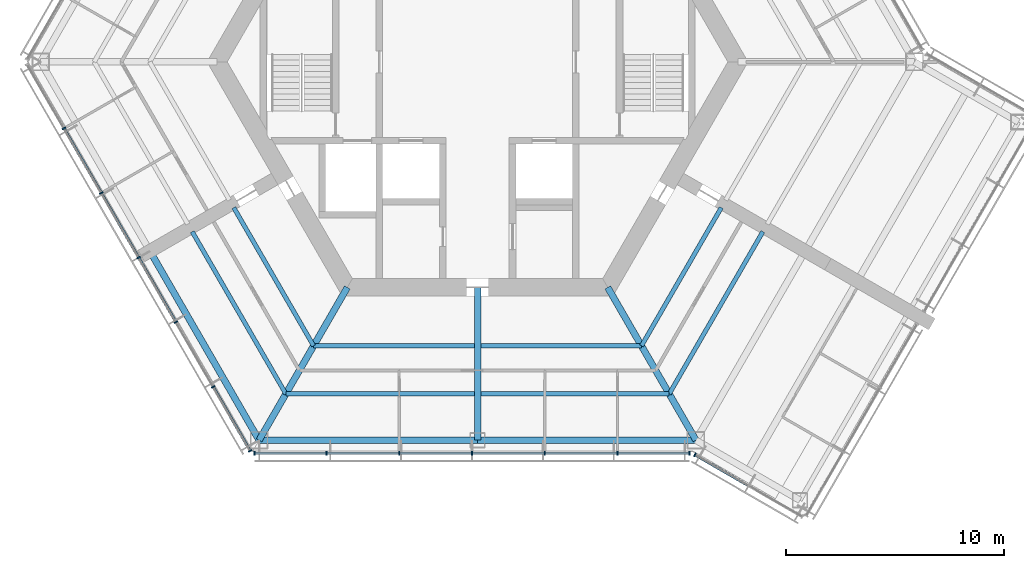
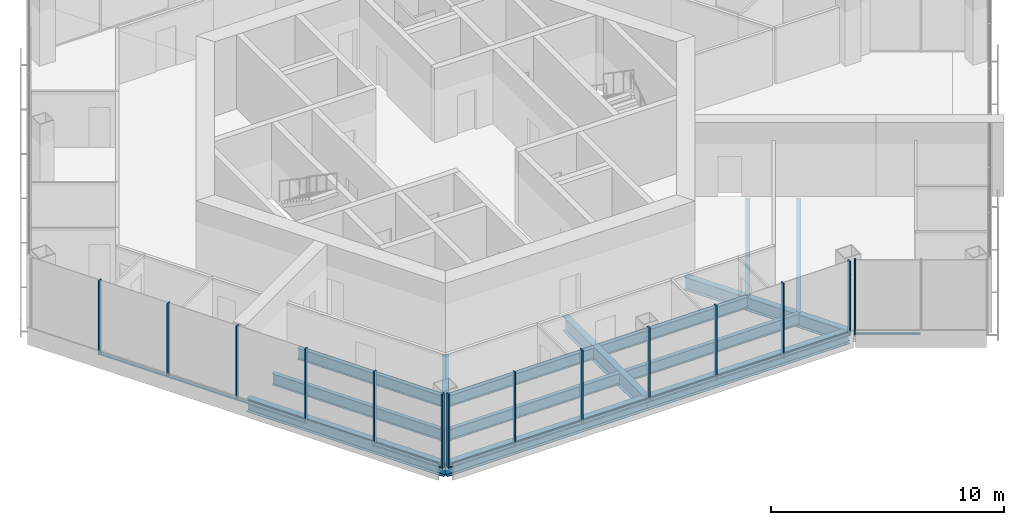
# One storey, part 2 of 13: 25 members, 14 beams, 3 elements without a shape of their own.
"""IFC4 building model written with IfcOpenShell, lengths in metres."""

from ifc_helpers import new_model, si_unit, direction, frame, origin, origin_2d, place, context, subcontext, project, spatial, rectangle, i_section, extrude, material, material_profile, profile_set, type_object, element, aggregate, save


model = new_model("IFC4")

# Units and contexts
model_context = context("Model", 3, precision=1e-05, world=origin(), true_north=direction((0.0, 1.0)))
body_context = subcontext(model_context, "Body", "Model", "MODEL_VIEW")
ifc_project = project(units=[si_unit("LENGTHUNIT", "METRE"), si_unit("AREAUNIT", "SQUARE_METRE"), si_unit("VOLUMEUNIT", "CUBIC_METRE"), si_unit("PLANEANGLEUNIT", "RADIAN"), si_unit("MASSUNIT", "GRAM", prefix="KILO")], contexts=[model_context])

# Site, building, storey
site_placement = place(None, origin())
site = spatial("IfcSite", under=ifc_project, at=site_placement, CompositionType="ELEMENT")
building_placement = place(site_placement, origin())
building = spatial("IfcBuilding", under=site, at=building_placement, Name="Kasaneha Research Tower", CompositionType="ELEMENT")
storey_placement = place(building_placement, frame((0.0, 0.0, 283.0)))
storey = spatial("IfcBuildingStorey", under=building, at=storey_placement, Name="L71", CompositionType="ELEMENT", Elevation=283.0)

# Beams
ifc_material_1 = material(Name="Steel SN490B", Category="steel")
ifc_material_profile_1 = material_profile(ifc_material_1, i_section(OverallWidth=0.199951171875, OverallDepth=0.60009765625, WebThickness=0.010986328125, FlangeThickness=0.01708984375, FilletRadius=0.012939453125, at=origin_2d()), Name="H-600x200x11x17")
ifc_profile_set_1 = profile_set([ifc_material_profile_1], Name="Steel SN490B")
beam_type_1 = type_object("IfcBeamType", Name="B1-3 secondary beam H-600x200x11x17", PredefinedType="JOIST", material=ifc_profile_set_1)
beam_1_placement = place(storey_placement, frame((-7.505615234375, -13.0, -0.449951171875), z_axis=(-0.499999192304, 0.866025870108, 0.0), x_axis=(-0.866025870108, -0.499999192304, 0.0)))
element("IfcBeam", 1, at=beam_1_placement, inside=storey, type_object=beam_type_1, Name="Secondary beam RS210R1 L71", PredefinedType="JOIST", context=body_context, shape_type="SweptSolid", body=[
    extrude(i_section(OverallWidth=0.199951171875, OverallDepth=0.60009765625, WebThickness=0.010986328125, FlangeThickness=0.01708984375, FilletRadius=0.012939453125, at=origin_2d()), origin(), (0.0, 0.0, 1.0), 7.3056640625),
])
beam_2_placement = place(storey_placement, frame((-8.775634765625, -15.199951171875, -0.449951171875), z_axis=(-0.500000102728, 0.866025344474, 0.0), x_axis=(-0.866025344474, -0.500000102728, 0.0)))
element("IfcBeam", 2, at=beam_2_placement, inside=storey, type_object=beam_type_1, Name="Secondary beam RS210R2 L71", PredefinedType="JOIST", context=body_context, shape_type="SweptSolid", body=[
    extrude(i_section(OverallWidth=0.199951171875, OverallDepth=0.60009765625, WebThickness=0.010986328125, FlangeThickness=0.01708984375, FilletRadius=0.012939453125, at=origin_2d()), origin(), (0.0, 0.0, 1.0), 8.57568359375),
])
beam_3_placement = place(storey_placement, frame((-7.505615234375, -13.0, -0.449951171875), z_axis=(1.0, 0.0, 0.0), x_axis=(0.0, 1.0, 0.0)))
element("IfcBeam", 3, at=beam_3_placement, inside=storey, type_object=beam_type_1, Name="Secondary beam RS270L1 L71", PredefinedType="JOIST", context=body_context, shape_type="SweptSolid", body=[
    extrude(i_section(OverallWidth=0.199951171875, OverallDepth=0.60009765625, WebThickness=0.010986328125, FlangeThickness=0.01708984375, FilletRadius=0.012939453125, at=origin_2d()), origin(), (0.0, 0.0, 1.0), 7.355712890625),
])
beam_4_placement = place(storey_placement, frame((-8.775634765625, -15.199951171875, -0.449951171875), z_axis=(1.0, 0.0, 0.0), x_axis=(0.0, 1.0, 0.0)))
element("IfcBeam", 4, at=beam_4_placement, inside=storey, type_object=beam_type_1, Name="Secondary beam RS270L2 L71", PredefinedType="JOIST", context=body_context, shape_type="SweptSolid", body=[
    extrude(i_section(OverallWidth=0.199951171875, OverallDepth=0.60009765625, WebThickness=0.010986328125, FlangeThickness=0.01708984375, FilletRadius=0.012939453125, at=origin_2d()), origin(), (0.0, 0.0, 1.0), 8.625732421875),
])
beam_5_placement = place(storey_placement, frame((7.505615234375, -13.0, -0.449951171875), z_axis=(-1.0, 0.0, 0.0), x_axis=(0.0, -1.0, 0.0)))
element("IfcBeam", 5, at=beam_5_placement, inside=storey, type_object=beam_type_1, Name="Secondary beam RS270R1 L71", PredefinedType="JOIST", context=body_context, shape_type="SweptSolid", body=[
    extrude(i_section(OverallWidth=0.199951171875, OverallDepth=0.60009765625, WebThickness=0.010986328125, FlangeThickness=0.01708984375, FilletRadius=0.012939453125, at=origin_2d()), origin(), (0.0, 0.0, 1.0), 7.355712890625),
])
beam_6_placement = place(storey_placement, frame((8.775634765625, -15.199951171875, -0.449951171875), z_axis=(-1.0, 0.0, 0.0), x_axis=(0.0, -1.0, 0.0)))
element("IfcBeam", 6, at=beam_6_placement, inside=storey, type_object=beam_type_1, Name="Secondary beam RS270R2 L71", PredefinedType="JOIST", context=body_context, shape_type="SweptSolid", body=[
    extrude(i_section(OverallWidth=0.199951171875, OverallDepth=0.60009765625, WebThickness=0.010986328125, FlangeThickness=0.01708984375, FilletRadius=0.012939453125, at=origin_2d()), origin(), (0.0, 0.0, 1.0), 8.625732421875),
])
beam_7_placement = place(storey_placement, frame((7.505615234375, -13.0, -0.449951171875), z_axis=(0.499999192304, 0.866025870108, 0.0), x_axis=(-0.866025870108, 0.499999192304, 0.0)))
element("IfcBeam", 7, at=beam_7_placement, inside=storey, type_object=beam_type_1, Name="Secondary beam RS330L1 L71", PredefinedType="JOIST", context=body_context, shape_type="SweptSolid", body=[
    extrude(i_section(OverallWidth=0.199951171875, OverallDepth=0.60009765625, WebThickness=0.010986328125, FlangeThickness=0.01708984375, FilletRadius=0.012939453125, at=origin_2d()), origin(), (0.0, 0.0, 1.0), 7.3056640625),
])
beam_8_placement = place(storey_placement, frame((8.775634765625, -15.199951171875, -0.449951171875), z_axis=(0.500000102728, 0.866025344474, 0.0), x_axis=(-0.866025344474, 0.500000102728, 0.0)))
element("IfcBeam", 8, at=beam_8_placement, inside=storey, type_object=beam_type_1, Name="Secondary beam RS330L2 L71", PredefinedType="JOIST", context=body_context, shape_type="SweptSolid", body=[
    extrude(i_section(OverallWidth=0.199951171875, OverallDepth=0.60009765625, WebThickness=0.010986328125, FlangeThickness=0.01708984375, FilletRadius=0.012939453125, at=origin_2d()), origin(), (0.0, 0.0, 1.0), 8.57568359375),
])

# Curtain wall, members
ifc_material_2 = material(Name="Glass and aluminium", Category="aluminium")
curtain_wall_type = type_object("IfcCurtainWallType", Name="Crown curtain wall", PredefinedType="USERDEFINED", material=ifc_material_2)
curtain_wall_1_placement = place(storey_placement, origin())
curtain_wall_1 = element("IfcCurtainWall", 9, at=curtain_wall_1_placement, inside=storey, type_object=curtain_wall_type, Name="CW-C L71 run 04a", ObjectType="UNITISED CURTAIN WALL", PredefinedType="USERDEFINED")
ifc_material_3 = material(Name="Aluminium 6063-T6", Category="aluminium")
ifc_material_profile_2 = material_profile(ifc_material_3, rectangle(XDim=0.06005859375, YDim=0.179931640625, at=origin_2d()), Name="CW-C mullion 60x180")
ifc_profile_set_2 = profile_set([ifc_material_profile_2], Name="Aluminium 6063-T6")
member_type_1 = type_object("IfcMemberType", Name="CW-C mullion", PredefinedType="MULLION", material=ifc_profile_set_2)
member_1_placement = place(storey_placement, frame((-18.93505859375, -3.04443359375, 0.0), z_axis=(0.0, 0.0, 1.0), x_axis=(0.499999995722, -0.866025406254, 0.0)))
member_1 = element("IfcMember", 10, at=member_1_placement, type_object=member_type_1, Name="CW-C mullion 2", PredefinedType="MULLION", context=body_context, shape_type="SweptSolid", body=[
    extrude(rectangle(XDim=0.06005859375, YDim=0.179931640625, at=origin_2d()), origin(), (0.0, 0.0, 1.0), 3.89990234375),
])
member_2_placement = place(storey_placement, frame((-17.227294921875, -6.00244140625, 0.0), z_axis=(0.0, 0.0, 1.0), x_axis=(0.499999995722, -0.866025406254, 0.0)))
member_2 = element("IfcMember", 11, at=member_2_placement, type_object=member_type_1, Name="CW-C mullion 3", PredefinedType="MULLION", context=body_context, shape_type="SweptSolid", body=[
    extrude(rectangle(XDim=0.06005859375, YDim=0.179931640625, at=origin_2d()), origin(), (0.0, 0.0, 1.0), 3.89990234375),
])
member_3_placement = place(storey_placement, frame((-15.51953125, -8.960205078125, 0.0), z_axis=(0.0, 0.0, 1.0), x_axis=(0.499999995722, -0.866025406254, 0.0)))
member_3 = element("IfcMember", 12, at=member_3_placement, type_object=member_type_1, Name="CW-C mullion 4", PredefinedType="MULLION", context=body_context, shape_type="SweptSolid", body=[
    extrude(rectangle(XDim=0.06005859375, YDim=0.179931640625, at=origin_2d()), origin(), (0.0, 0.0, 1.0), 3.89990234375),
])
member_4_placement = place(storey_placement, frame((-13.811767578125, -11.918212890625, 0.0), z_axis=(0.0, 0.0, 1.0), x_axis=(0.499999995722, -0.866025406254, 0.0)))
member_4 = element("IfcMember", 13, at=member_4_placement, type_object=member_type_1, Name="CW-C mullion 5", PredefinedType="MULLION", context=body_context, shape_type="SweptSolid", body=[
    extrude(rectangle(XDim=0.06005859375, YDim=0.179931640625, at=origin_2d()), origin(), (0.0, 0.0, 1.0), 3.89990234375),
])
member_5_placement = place(storey_placement, frame((-12.104248046875, -14.8759765625, 0.0), z_axis=(0.0, 0.0, 1.0), x_axis=(0.499999995722, -0.866025406254, 0.0)))
member_5 = element("IfcMember", 14, at=member_5_placement, type_object=member_type_1, Name="CW-C mullion 6", PredefinedType="MULLION", context=body_context, shape_type="SweptSolid", body=[
    extrude(rectangle(XDim=0.06005859375, YDim=0.179931640625, at=origin_2d()), origin(), (0.0, 0.0, 1.0), 3.89990234375),
])
member_6_placement = place(storey_placement, frame((-10.411376953125, -17.807861328125, 0.0), z_axis=(0.0, 0.0, 1.0), x_axis=(0.499999995722, -0.866025406254, 0.0)))
member_6 = element("IfcMember", 15, at=member_6_placement, type_object=member_type_1, Name="CW-C mullion 7", PredefinedType="MULLION", context=body_context, shape_type="SweptSolid", body=[
    extrude(rectangle(XDim=0.06005859375, YDim=0.179931640625, at=origin_2d()), origin(), (0.0, 0.0, 1.0), 3.89990234375),
])

curtain_wall_2_placement = place(storey_placement, origin())
curtain_wall_2 = element("IfcCurtainWall", 16, at=curtain_wall_2_placement, inside=storey, type_object=curtain_wall_type, Name="CW-C L71 run 05a", ObjectType="UNITISED CURTAIN WALL", PredefinedType="USERDEFINED")
member_7_placement = place(storey_placement, frame((-10.21630859375, -17.92041015625, 0.0), z_axis=(0.0, 0.0, 1.0), x_axis=(1.0, 0.0, 0.0)))
member_7 = element("IfcMember", 17, at=member_7_placement, type_object=member_type_1, Name="CW-C mullion 1", PredefinedType="MULLION", context=body_context, shape_type="SweptSolid", body=[
    extrude(rectangle(XDim=0.06005859375, YDim=0.179931640625, at=origin_2d()), origin(), (0.0, 0.0, 1.0), 3.89990234375),
])
member_8_placement = place(storey_placement, frame((-6.91552734375, -17.92041015625, 0.0), z_axis=(0.0, 0.0, 1.0), x_axis=(1.0, 0.0, 0.0)))
member_8 = element("IfcMember", 18, at=member_8_placement, type_object=member_type_1, Name="CW-C mullion 2", PredefinedType="MULLION", context=body_context, shape_type="SweptSolid", body=[
    extrude(rectangle(XDim=0.06005859375, YDim=0.179931640625, at=origin_2d()), origin(), (0.0, 0.0, 1.0), 3.89990234375),
])
member_9_placement = place(storey_placement, frame((-3.58447265625, -17.92041015625, 0.0), z_axis=(0.0, 0.0, 1.0), x_axis=(1.0, 0.0, 0.0)))
member_9 = element("IfcMember", 19, at=member_9_placement, type_object=member_type_1, Name="CW-C mullion 3", PredefinedType="MULLION", context=body_context, shape_type="SweptSolid", body=[
    extrude(rectangle(XDim=0.06005859375, YDim=0.179931640625, at=origin_2d()), origin(), (0.0, 0.0, 1.0), 3.89990234375),
])
member_10_placement = place(storey_placement, frame((-0.253662109375, -17.92041015625, 0.0), z_axis=(0.0, 0.0, 1.0), x_axis=(1.0, 0.0, 0.0)))
member_10 = element("IfcMember", 20, at=member_10_placement, type_object=member_type_1, Name="CW-C mullion 4", PredefinedType="MULLION", context=body_context, shape_type="SweptSolid", body=[
    extrude(rectangle(XDim=0.06005859375, YDim=0.179931640625, at=origin_2d()), origin(), (0.0, 0.0, 1.0), 3.89990234375),
])
member_11_placement = place(storey_placement, frame((3.077392578125, -17.92041015625, 0.0), z_axis=(0.0, 0.0, 1.0), x_axis=(1.0, 0.0, 0.0)))
member_11 = element("IfcMember", 21, at=member_11_placement, type_object=member_type_1, Name="CW-C mullion 5", PredefinedType="MULLION", context=body_context, shape_type="SweptSolid", body=[
    extrude(rectangle(XDim=0.06005859375, YDim=0.179931640625, at=origin_2d()), origin(), (0.0, 0.0, 1.0), 3.89990234375),
])
member_12_placement = place(storey_placement, frame((6.408203125, -17.92041015625, 0.0), z_axis=(0.0, 0.0, 1.0), x_axis=(1.0, 0.0, 0.0)))
member_12 = element("IfcMember", 22, at=member_12_placement, type_object=member_type_1, Name="CW-C mullion 6", PredefinedType="MULLION", context=body_context, shape_type="SweptSolid", body=[
    extrude(rectangle(XDim=0.06005859375, YDim=0.179931640625, at=origin_2d()), origin(), (0.0, 0.0, 1.0), 3.89990234375),
])
member_13_placement = place(storey_placement, frame((9.709228515625, -17.92041015625, 0.0), z_axis=(0.0, 0.0, 1.0), x_axis=(1.0, 0.0, 0.0)))
member_13 = element("IfcMember", 23, at=member_13_placement, type_object=member_type_1, Name="CW-C mullion 7", PredefinedType="MULLION", context=body_context, shape_type="SweptSolid", body=[
    extrude(rectangle(XDim=0.06005859375, YDim=0.179931640625, at=origin_2d()), origin(), (0.0, 0.0, 1.0), 3.89990234375),
])

# Curtain wall, member
curtain_wall_3_placement = place(storey_placement, origin())
curtain_wall_3 = element("IfcCurtainWall", 24, at=curtain_wall_3_placement, inside=storey, type_object=curtain_wall_type, Name="CW-C L71 run 06a", ObjectType="UNITISED CURTAIN WALL", PredefinedType="USERDEFINED")
member_14_placement = place(storey_placement, frame((9.951904296875, -17.985595703125, 0.0), z_axis=(0.0, 0.0, 1.0), x_axis=(0.866025443395, -0.499999931393, 0.0)))
member_14 = element("IfcMember", 25, at=member_14_placement, type_object=member_type_1, Name="CW-C mullion 1", PredefinedType="MULLION", context=body_context, shape_type="SweptSolid", body=[
    extrude(rectangle(XDim=0.06005859375, YDim=0.179931640625, at=origin_2d()), origin(), (0.0, 0.0, 1.0), 3.89990234375),
])

# Member
ifc_material_4 = material(Name="Aluminium 6063-T6", Category="aluminium")
ifc_material_profile_3 = material_profile(ifc_material_4, rectangle(XDim=0.1298828125, YDim=0.06005859375, at=origin_2d()), Name="CW-C transom 130x60")
ifc_profile_set_3 = profile_set([ifc_material_profile_3], Name="Aluminium 6063-T6")
member_type_2 = type_object("IfcMemberType", Name="CW-C transom", PredefinedType="USERDEFINED", material=ifc_profile_set_3)
member_15_placement = place(storey_placement, frame((-18.920166015625, -3.070556640625, 0.030029296875), z_axis=(0.500020578564, -0.866013522419, 0.0), x_axis=(0.866013522419, 0.500020578564, 0.0)))
member_15 = element("IfcMember", 26, at=member_15_placement, type_object=member_type_2, Name="CW-C transom 2", ObjectType="TRANSOM", PredefinedType="USERDEFINED", context=body_context, shape_type="SweptSolid", body=[
    extrude(rectangle(XDim=0.1298828125, YDim=0.06005859375, at=origin_2d()), origin(), (0.0, 0.0, 1.0), 3.355224609375),
])

member_16_placement = place(storey_placement, frame((-17.21240234375, -6.0283203125, 0.030029296875), z_axis=(0.499989072476, -0.866031712701, 0.0), x_axis=(0.866031712701, 0.499989072476, 0.0)))
member_16 = element("IfcMember", 27, at=member_16_placement, type_object=member_type_2, Name="CW-C transom 3", ObjectType="TRANSOM", PredefinedType="USERDEFINED", context=body_context, shape_type="SweptSolid", body=[
    extrude(rectangle(XDim=0.1298828125, YDim=0.06005859375, at=origin_2d()), origin(), (0.0, 0.0, 1.0), 3.35546875),
])

member_17_placement = place(storey_placement, frame((-15.504638671875, -8.986328125, 0.030029296875), z_axis=(0.500020578564, -0.866013522419, 0.0), x_axis=(0.866013522419, 0.500020578564, 0.0)))
member_17 = element("IfcMember", 28, at=member_17_placement, type_object=member_type_2, Name="CW-C transom 4", ObjectType="TRANSOM", PredefinedType="USERDEFINED", context=body_context, shape_type="SweptSolid", body=[
    extrude(rectangle(XDim=0.1298828125, YDim=0.06005859375, at=origin_2d()), origin(), (0.0, 0.0, 1.0), 3.355224609375),
])

member_18_placement = place(storey_placement, frame((-12.089111328125, -14.902099609375, 0.030029296875), z_axis=(0.49997666526, -0.866038875684, 0.0), x_axis=(0.866038875684, 0.49997666526, 0.0)))
member_18 = element("IfcMember", 29, at=member_18_placement, type_object=member_type_2, Name="CW-C transom 6", ObjectType="TRANSOM", PredefinedType="USERDEFINED", context=body_context, shape_type="SweptSolid", body=[
    extrude(rectangle(XDim=0.1298828125, YDim=0.06005859375, at=origin_2d()), origin(), (0.0, 0.0, 1.0), 3.325439453125),
])

aggregate(curtain_wall_1, [member_1, member_2, member_3, member_4, member_5, member_6, member_15, member_16, member_17, member_18])

member_19_placement = place(storey_placement, frame((-10.1865234375, -17.92041015625, 0.030029296875), z_axis=(1.0, 0.0, 0.0), x_axis=(0.0, 1.0, 0.0)))
member_19 = element("IfcMember", 30, at=member_19_placement, type_object=member_type_2, Name="CW-C transom 1", ObjectType="TRANSOM", PredefinedType="USERDEFINED", context=body_context, shape_type="SweptSolid", body=[
    extrude(rectangle(XDim=0.1298828125, YDim=0.06005859375, at=origin_2d()), origin(), (0.0, 0.0, 1.0), 3.240966796875),
])

member_20_placement = place(storey_placement, frame((-6.885498046875, -17.92041015625, 0.030029296875), z_axis=(1.0, 0.0, 0.0), x_axis=(0.0, 1.0, 0.0)))
member_20 = element("IfcMember", 31, at=member_20_placement, type_object=member_type_2, Name="CW-C transom 2", ObjectType="TRANSOM", PredefinedType="USERDEFINED", context=body_context, shape_type="SweptSolid", body=[
    extrude(rectangle(XDim=0.1298828125, YDim=0.06005859375, at=origin_2d()), origin(), (0.0, 0.0, 1.0), 3.27099609375),
])

member_21_placement = place(storey_placement, frame((-3.554443359375, -17.92041015625, 0.030029296875), z_axis=(1.0, 0.0, 0.0), x_axis=(0.0, 1.0, 0.0)))
member_21 = element("IfcMember", 32, at=member_21_placement, type_object=member_type_2, Name="CW-C transom 3", ObjectType="TRANSOM", PredefinedType="USERDEFINED", context=body_context, shape_type="SweptSolid", body=[
    extrude(rectangle(XDim=0.1298828125, YDim=0.06005859375, at=origin_2d()), origin(), (0.0, 0.0, 1.0), 3.270751953125),
])

member_22_placement = place(storey_placement, frame((-0.2236328125, -17.92041015625, 0.030029296875), z_axis=(1.0, 0.0, 0.0), x_axis=(0.0, 1.0, 0.0)))
member_22 = element("IfcMember", 33, at=member_22_placement, type_object=member_type_2, Name="CW-C transom 4", ObjectType="TRANSOM", PredefinedType="USERDEFINED", context=body_context, shape_type="SweptSolid", body=[
    extrude(rectangle(XDim=0.1298828125, YDim=0.06005859375, at=origin_2d()), origin(), (0.0, 0.0, 1.0), 3.27099609375),
])

member_23_placement = place(storey_placement, frame((3.107421875, -17.92041015625, 0.030029296875), z_axis=(1.0, 0.0, 0.0), x_axis=(0.0, 1.0, 0.0)))
member_23 = element("IfcMember", 34, at=member_23_placement, type_object=member_type_2, Name="CW-C transom 5", ObjectType="TRANSOM", PredefinedType="USERDEFINED", context=body_context, shape_type="SweptSolid", body=[
    extrude(rectangle(XDim=0.1298828125, YDim=0.06005859375, at=origin_2d()), origin(), (0.0, 0.0, 1.0), 3.270751953125),
])

member_24_placement = place(storey_placement, frame((6.438232421875, -17.92041015625, 0.030029296875), z_axis=(1.0, 0.0, 0.0), x_axis=(0.0, 1.0, 0.0)))
member_24 = element("IfcMember", 35, at=member_24_placement, type_object=member_type_2, Name="CW-C transom 6", ObjectType="TRANSOM", PredefinedType="USERDEFINED", context=body_context, shape_type="SweptSolid", body=[
    extrude(rectangle(XDim=0.1298828125, YDim=0.06005859375, at=origin_2d()), origin(), (0.0, 0.0, 1.0), 3.240966796875),
])

aggregate(curtain_wall_2, [member_7, member_8, member_9, member_10, member_11, member_12, member_13, member_19, member_20, member_21, member_22, member_23, member_24])

member_25_placement = place(storey_placement, frame((9.977783203125, -18.00048828125, 0.030029296875), z_axis=(0.866012991964, -0.500021497287, 0.0), x_axis=(0.500021497287, 0.866012991964, 0.0)))
member_25 = element("IfcMember", 36, at=member_25_placement, type_object=member_type_2, Name="CW-C transom 1", ObjectType="TRANSOM", PredefinedType="USERDEFINED", context=body_context, shape_type="SweptSolid", body=[
    extrude(rectangle(XDim=0.1298828125, YDim=0.06005859375, at=origin_2d()), origin(), (0.0, 0.0, 1.0), 2.77978515625),
])

aggregate(curtain_wall_3, [member_14, member_25])

# Beams
ifc_material_5 = material(Name="Steel SN490B", Category="steel")
ifc_material_profile_4 = material_profile(ifc_material_5, i_section(OverallWidth=0.300048828125, OverallDepth=0.699951171875, WebThickness=0.012939453125, FlangeThickness=0.02392578125, FilletRadius=0.01806640625, at=origin_2d()), Name="H-700x300x13x24")
ifc_profile_set_4 = profile_set([ifc_material_profile_4], Name="Steel SN490B")
beam_type_2 = type_object("IfcBeamType", Name="G1-3 radial girder H-700x300x13x24", PredefinedType="BEAM", material=ifc_profile_set_4)
for number, where, z_axis, x_axis, name in (
    (37, (-5.961181640625, -10.324951171875, -0.5), (-0.49999105496, -0.866030568144, 0.0), (0.866030568144, -0.49999105496, 0.0), "Radial girder RV240 L71"),
    (38, (5.961181640625, -10.324951171875, -0.5), (0.49999105496, -0.866030568144, 0.0), (0.866030568144, 0.49999105496, 0.0), "Radial girder RV300 L71"),
):
    element("IfcBeam", number, at=place(storey_placement, frame(where, z_axis=z_axis, x_axis=x_axis)), inside=storey, type_object=beam_type_2, Name=name, PredefinedType="BEAM", context=body_context, shape_type="SweptSolid", body=[
        extrude(i_section(OverallWidth=0.300048828125, OverallDepth=0.699951171875, WebThickness=0.012939453125, FlangeThickness=0.02392578125, FilletRadius=0.01806640625, at=origin_2d()), origin(), (0.0, 0.0, 1.0), 8.077880859375),
    ])
ifc_material_6 = material(Name="Steel SN490B", Category="steel")
ifc_material_profile_5 = material_profile(ifc_material_6, i_section(OverallWidth=0.300048828125, OverallDepth=0.800048828125, WebThickness=0.013916015625, FlangeThickness=0.02587890625, FilletRadius=0.01806640625, at=origin_2d()), Name="H-800x300x14x26")
ifc_profile_set_5 = profile_set([ifc_material_profile_5], Name="Steel SN490B")
beam_type_3 = type_object("IfcBeamType", Name="G2-3 radial girder H-800x300x14x26", PredefinedType="BEAM", material=ifc_profile_set_5)
beam_9_placement = place(storey_placement, frame((0.0, -10.324951171875, -0.550048828125), z_axis=(0.0, -1.0, 0.0), x_axis=(1.0, 0.0, 0.0)))
element("IfcBeam", 39, at=beam_9_placement, inside=storey, type_object=beam_type_3, Name="Radial girder RM270 L71", PredefinedType="BEAM", context=body_context, shape_type="SweptSolid", body=[
    extrude(i_section(OverallWidth=0.300048828125, OverallDepth=0.800048828125, WebThickness=0.013916015625, FlangeThickness=0.02587890625, FilletRadius=0.01806640625, at=origin_2d()), origin(), (0.0, 0.0, 1.0), 6.99560546875),
])
ifc_material_7 = material(Name="Steel SN490B", Category="steel")
ifc_material_profile_6 = material_profile(ifc_material_7, i_section(OverallWidth=0.300048828125, OverallDepth=0.69189453125, WebThickness=0.012939453125, FlangeThickness=0.02001953125, FilletRadius=0.01806640625, at=origin_2d()), Name="H-692x300x13x20")
ifc_profile_set_6 = profile_set([ifc_material_profile_6], Name="Steel SN490B")
beam_type_4 = type_object("IfcBeamType", Name="G3-3 plate edge girder H-692x300x13x20", PredefinedType="BEAM", material=ifc_profile_set_6)
beam_10_placement = place(storey_placement, frame((-10.0, -17.320556640625, -0.49609375), z_axis=(-0.49999201416, 0.866030014362, 0.0), x_axis=(-0.866030014362, -0.49999201416, 0.0)))
element("IfcBeam", 40, at=beam_10_placement, inside=storey, type_object=beam_type_4, Name="Plate edge girder PEBN L71", PredefinedType="BEAM", context=body_context, shape_type="SweptSolid", body=[
    extrude(i_section(OverallWidth=0.300048828125, OverallDepth=0.69189453125, WebThickness=0.012939453125, FlangeThickness=0.02001953125, FilletRadius=0.01806640625, at=origin_2d()), origin(), (0.0, 0.0, 1.0), 9.800048828125),
])
ifc_material_8 = material(Name="Steel SN490B", Category="steel")
ifc_material_profile_7 = material_profile(ifc_material_8, i_section(OverallWidth=0.300048828125, OverallDepth=0.69189453125, WebThickness=0.012939453125, FlangeThickness=0.02001953125, FilletRadius=0.01806640625, at=origin_2d()), Name="H-692x300x13x20")
ifc_profile_set_7 = profile_set([ifc_material_profile_7], Name="Steel SN490B")
beam_type_5 = type_object("IfcBeamType", Name="SB1-3 spandrel beam H-692x300x13x20", PredefinedType="SPANDREL", material=ifc_profile_set_7)
for number, where, z_axis, x_axis, name in (
    (41, (-10.0, -17.320556640625, -0.49609375), (1.0, 0.0, 0.0), (0.0, 1.0, 0.0), "Spandrel beam SR270L L71"),
    (42, (10.0, -17.320556640625, -0.49609375), (-1.0, 0.0, 0.0), (0.0, -1.0, 0.0), "Spandrel beam SR270R L71"),
):
    element("IfcBeam", number, at=place(storey_placement, frame(where, z_axis=z_axis, x_axis=x_axis)), inside=storey, type_object=beam_type_5, Name=name, PredefinedType="SPANDREL", context=body_context, shape_type="SweptSolid", body=[
        extrude(i_section(OverallWidth=0.300048828125, OverallDepth=0.69189453125, WebThickness=0.012939453125, FlangeThickness=0.02001953125, FilletRadius=0.01806640625, at=origin_2d()), origin(), (0.0, 0.0, 1.0), 10.0),
    ])

save(model, "model.ifc")
